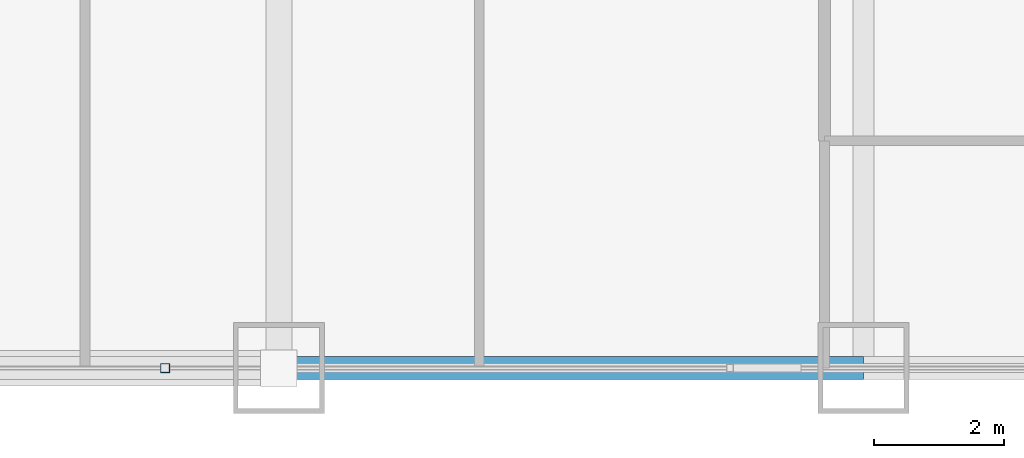
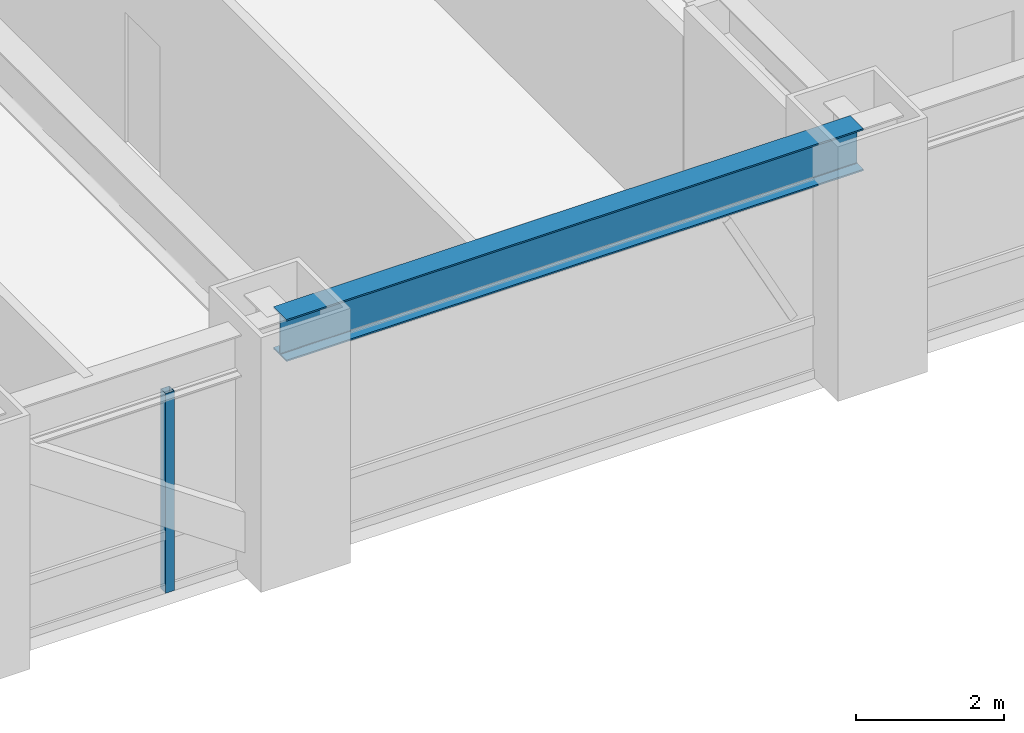
# One storey, part 8 of 27: 1 beam, 1 member, 1 element without a shape of its own.
"""IFC4 building model written with IfcOpenShell, lengths in metres."""

from ifc_helpers import new_model, si_unit, direction, frame, origin, origin_2d, place, context, subcontext, project, spatial, hollow_rectangle, i_section, extrude, source, transform, mapped, material, material_profile, profile_set, type_object, element, aggregate, save


model = new_model("IFC4")

# Units and contexts
model_context = context("Model", 3, precision=1e-05, world=origin(), true_north=direction((0.0, 1.0)))
body_context = subcontext(model_context, "Body", "Model", "MODEL_VIEW")
ifc_project = project(units=[si_unit("LENGTHUNIT", "METRE"), si_unit("AREAUNIT", "SQUARE_METRE"), si_unit("VOLUMEUNIT", "CUBIC_METRE"), si_unit("PLANEANGLEUNIT", "RADIAN"), si_unit("MASSUNIT", "GRAM", prefix="KILO")], contexts=[model_context])

# Site, building, storey
site_placement = place(None, origin())
site = spatial("IfcSite", under=ifc_project, at=site_placement, CompositionType="ELEMENT")
building_placement = place(site_placement, origin())
building = spatial("IfcBuilding", under=site, at=building_placement, Name="Khorayat Bourse Tower", CompositionType="ELEMENT")
storey_placement = place(building_placement, frame((0.0, 0.0, 53.60009765625)))
storey = spatial("IfcBuildingStorey", under=building, at=storey_placement, Name="L11", CompositionType="ELEMENT", Elevation=53.60009765625)

# Beam
ifc_material_1 = material(Name="Steel ASTM A992 Grade 50", Category="steel")
ifc_material_profile_1 = material_profile(ifc_material_1, i_section(OverallWidth=0.35498046875, OverallDepth=0.695068359375, WebThickness=0.015380859375, FlangeThickness=0.02490234375, FilletRadius=0.01806640625, at=origin_2d()), Name="W690X217")
ifc_profile_set_1 = profile_set([ifc_material_profile_1], Name="Steel ASTM A992 Grade 50")
beam_type = type_object("IfcBeamType", Name="BM-SPAN-690", PredefinedType="SPANDREL", material=ifc_profile_set_1)
shared_shape_1 = source(origin(), body_context, "Body", "SweptSolid", [
    extrude(i_section(OverallWidth=0.35498046875, OverallDepth=0.695068359375, WebThickness=0.015380859375, FlangeThickness=0.02490234375, FilletRadius=0.01806640625, at=origin_2d()), origin(), (0.0, 0.0, 1.0), 9.0),
])
beam_placement = place(storey_placement, frame((11.0, -32.0, 3.59228515625), z_axis=(1.0, 0.0, 0.0), x_axis=(0.0, 1.0, 0.0)))
element("IfcBeam", 1, at=beam_placement, inside=storey, type_object=beam_type, Name="L11 BM-SPAN-690 BM-L11-SPN-030", PredefinedType="SPANDREL", context=body_context, shape_type="MappedRepresentation", body=[
    mapped(shared_shape_1, transform((0.0, 0.0, 0.0), scale=1.0)),
])

# Curtain wall, member
ifc_material_2 = material(Name="Aluminium EN AW-6063 T6", Category="aluminium")
curtain_wall_type = type_object("IfcCurtainWallType", Name="CW-SYS-02", PredefinedType="NOTDEFINED", material=ifc_material_2)
curtain_wall_placement = place(storey_placement, origin())
curtain_wall = element("IfcCurtainWall", 2, at=curtain_wall_placement, inside=storey, type_object=curtain_wall_type, Name="L11 Curtain Wall CW-L11-S1", PredefinedType="NOTDEFINED")
ifc_material_profile_2 = material_profile(ifc_material_2, hollow_rectangle(XDim=0.139892578125, YDim=0.139892578125, WallThickness=0.006103515625, at=origin_2d()), Name="ALU 140x140x6")
ifc_profile_set_2 = profile_set([ifc_material_profile_2], Name="Aluminium EN AW-6063 T6")
member_type = type_object("IfcMemberType", Name="CWM-VERT-140", PredefinedType="MULLION", material=ifc_profile_set_2)
shared_shape_2 = source(origin(), body_context, "Body", "SweptSolid", [
    extrude(hollow_rectangle(XDim=0.139892578125, YDim=0.139892578125, WallThickness=0.006103515625, at=origin_2d()), origin(), (0.0, 0.0, 1.0), 3.289794921875),
])
member_placement = place(storey_placement, frame((9.25, -32.0, 0.0), z_axis=(0.0, 0.0, 1.0), x_axis=(0.0, 1.0, 0.0)))
member = element("IfcMember", 3, at=member_placement, type_object=member_type, Name="CW-L11-S1 Vertical Mullion 3", PredefinedType="MULLION", context=body_context, shape_type="MappedRepresentation", body=[
    mapped(shared_shape_2, transform((0.0, 0.0, 0.0), scale=1.0)),
])
aggregate(curtain_wall, [member])

save(model, "model.ifc")
